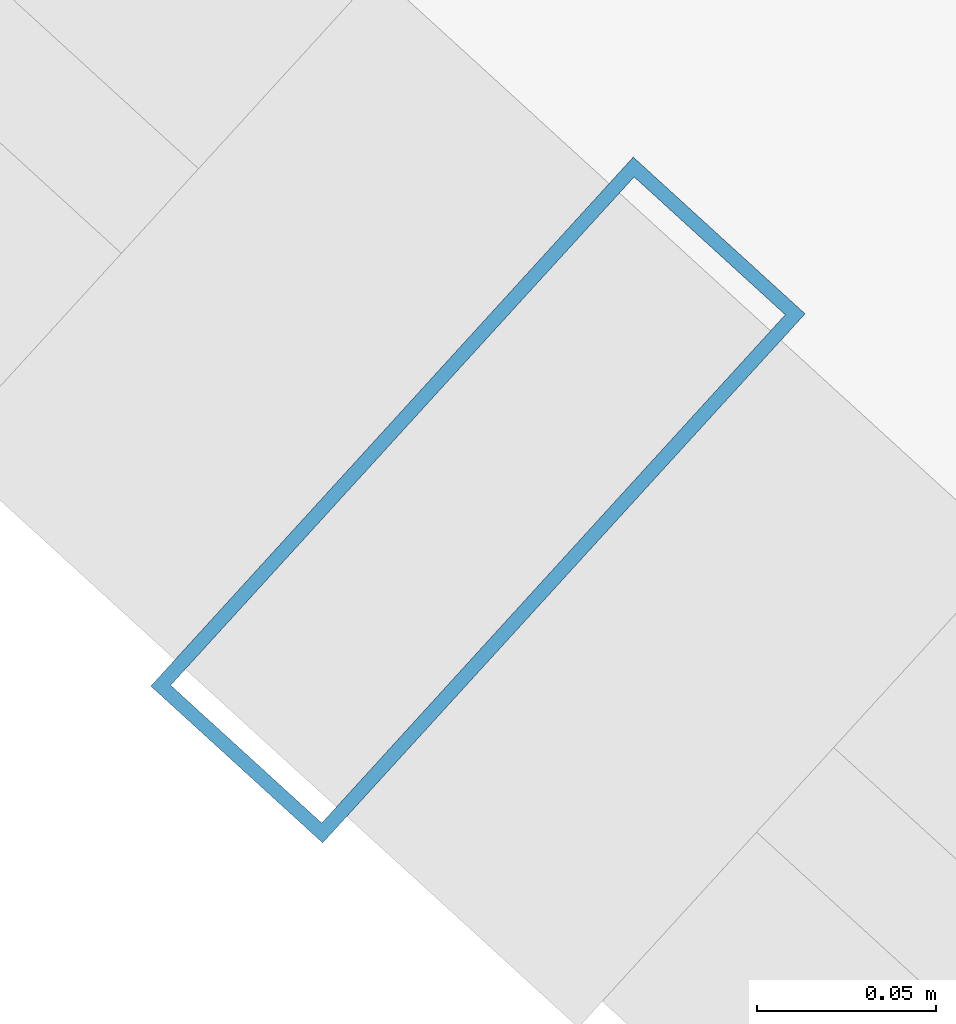
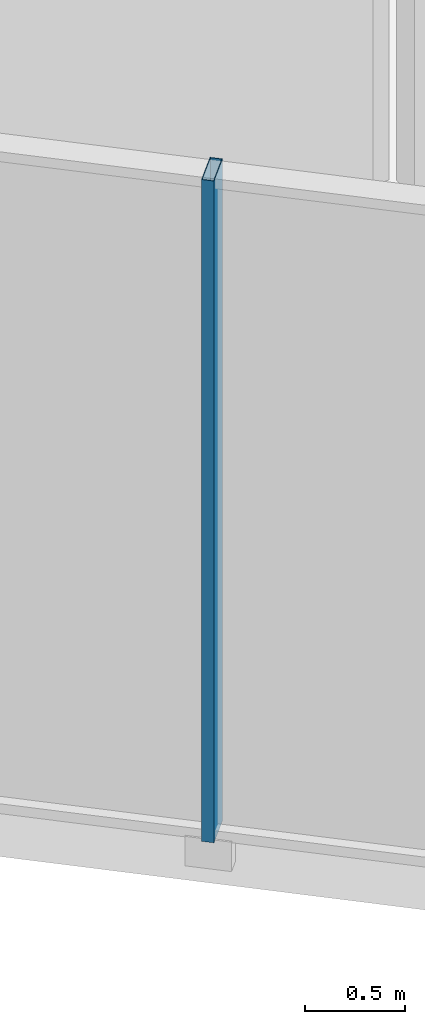
# One storey, part 2 of 28: 1 member, 1 element without a shape of its own.
"""IFC4 building model written with IfcOpenShell, lengths in metres."""

import ifcopenshell
import ifcopenshell.guid

model = None  # the IFC model being written
_history = None  # IfcOwnerHistory: only IFC2X3 demands one
_inside = {}  # id of a spatial element -> (the spatial element, [elements in it])
_under = {}  # id of a project, library or spatial element -> (it, [spatial elements below it])
_declared = {}  # id of a project -> (the project, [libraries it declares])
_typed = {}  # id of a type object -> (the type object, [elements of that type])
_made_of = {}  # id of a material, layer set ... -> (it, [elements and type objects made of it])


def new_model(schema):
    """Start an empty IFC model of exactly this schema.

    Asked for "IFC4X3", IfcOpenShell would pick the latest addendum, in which some entities
    have other attributes; the version numbers below select the first issue.
    IFC2X3 requires an IfcOwnerHistory on every rooted entity: one is made here for all.
    """
    global model, _history
    if schema == "IFC4X3":
        model = ifcopenshell.file(schema_version=(4, 3, 0, 0))
    else:
        model = ifcopenshell.file(schema=schema)
    _inside.clear()
    _under.clear()
    _declared.clear()
    _typed.clear()
    _made_of.clear()
    _history = None
    if model.schema == "IFC2X3":
        org = make("IfcOrganization", Name="unknown")
        user = make(
            "IfcPersonAndOrganization",
            ThePerson=make("IfcPerson", FamilyName="unknown"),
            TheOrganization=org,
        )
        app = make(
            "IfcApplication",
            ApplicationDeveloper=org,
            Version="unknown",
            ApplicationFullName="unknown",
            ApplicationIdentifier="unknown",
        )
        _history = make(
            "IfcOwnerHistory",
            OwningUser=user,
            OwningApplication=app,
            ChangeAction="ADDED",
            CreationDate=0,
        )
    return model


def make(cls, **values):
    """One entity of the class cls with the attributes given. An attribute that is None is left unset."""
    return model.create_entity(
        cls, **{name: value for name, value in values.items() if value is not None}
    )


def rooted(cls, **values):
    """An entity with a GlobalId (a new one), such as an element, a storey or a relation."""
    return make(cls, GlobalId=ifcopenshell.guid.new(), OwnerHistory=_history, **values)


def si_unit(unit_type, name, prefix=None):
    """IfcSIUnit, for example si_unit("LENGTHUNIT", "METRE", prefix="MILLI")."""
    return make("IfcSIUnit", UnitType=unit_type, Prefix=prefix, Name=name)


def assignment(units):
    """IfcUnitAssignment: the units of a project."""
    return None if units is None else make("IfcUnitAssignment", Units=units)


def point(xyz):
    """IfcCartesianPoint."""
    return None if xyz is None else make("IfcCartesianPoint", Coordinates=xyz)


def direction(xyz):
    """IfcDirection."""
    return None if xyz is None else make("IfcDirection", DirectionRatios=xyz)


def frame(location, z_axis=None, x_axis=None):
    """IfcAxis2Placement3D, a coordinate frame: its origin and axes. An axis left out is left unset."""
    return make(
        "IfcAxis2Placement3D",
        Location=point(location),
        Axis=direction(z_axis),
        RefDirection=direction(x_axis),
    )


def frame_2d(location, x_axis=None):
    """IfcAxis2Placement2D, a coordinate frame in the plane: its origin and x axis."""
    return make(
        "IfcAxis2Placement2D", Location=point(location), RefDirection=direction(x_axis)
    )


def origin():
    """The frame at (0, 0, 0) with its axes left unset."""
    return frame((0.0, 0.0, 0.0))


def origin_2d():
    """The frame at (0, 0) in the plane with its x axis left unset."""
    return frame_2d((0.0, 0.0))


def place(relative_to, where):
    """IfcLocalPlacement: puts the frame where relative to a parent placement (None: the world)."""
    return make(
        "IfcLocalPlacement", PlacementRelTo=relative_to, RelativePlacement=where
    )


def context(
    kind, dimensions, precision=None, world=None, true_north=None, identifier=None
):
    """IfcGeometricRepresentationContext, for example the 3D "Model" context."""
    return make(
        "IfcGeometricRepresentationContext",
        ContextIdentifier=identifier,
        ContextType=kind,
        CoordinateSpaceDimension=dimensions,
        Precision=precision,
        WorldCoordinateSystem=world,
        TrueNorth=true_north,
    )


def subcontext(parent, identifier, kind, view, scale=None):
    """IfcGeometricRepresentationSubContext, for example "Body" below "Model"."""
    return make(
        "IfcGeometricRepresentationSubContext",
        ContextIdentifier=identifier,
        ContextType=kind,
        ParentContext=parent,
        TargetScale=scale,
        TargetView=view,
    )


def project(units=None, contexts=None):
    """IfcProject with its units and contexts."""
    return rooted(
        "IfcProject",
        Name="project",
        RepresentationContexts=contexts,
        UnitsInContext=assignment(units),
    )


def spatial(cls, under=None, at=None, **own):
    """A site, building, storey or space (cls), placed at a placement, below another one or the project."""
    s = rooted(cls, ObjectPlacement=at, **own)
    if under is not None:
        _under.setdefault(under.id(), (under, []))[1].append(s)
    return s


def profile(cls, at=None, kind="AREA", **sizes):
    """A parametric profile (cls). Its sizes go by their IFC names, for example OverallWidth=200.0."""
    return make(cls, ProfileType=kind, Position=at, **sizes)


def hollow_rectangle(**sizes):
    """IfcRectangleHollowProfileDef."""
    return profile("IfcRectangleHollowProfileDef", **sizes)


def extrude(swept, where, along, depth):
    """IfcExtrudedAreaSolid: the profile swept, set in the frame where, extruded along a direction by depth."""
    return make(
        "IfcExtrudedAreaSolid",
        SweptArea=swept,
        Position=where,
        ExtrudedDirection=direction(along),
        Depth=depth,
    )


def shape(context_of_items, identifier, shape_type, items):
    """IfcShapeRepresentation: the items that make up one representation, for example the "Body"."""
    return make(
        "IfcShapeRepresentation",
        ContextOfItems=context_of_items,
        RepresentationIdentifier=identifier,
        RepresentationType=shape_type,
        Items=items,
    )


def source(mapping_origin, context_of_items, identifier, shape_type, items):
    """IfcRepresentationMap: a shape defined once, which mapped items show again and again."""
    return make(
        "IfcRepresentationMap",
        MappingOrigin=mapping_origin,
        MappedRepresentation=shape(context_of_items, identifier, shape_type, items),
    )


def transform(
    local_origin,
    x_axis=None,
    y_axis=None,
    z_axis=None,
    scale=None,
    scale2=None,
    scale3=None,
    uniform=True,
):
    """IfcCartesianTransformationOperator3D, or its non-uniform kind. x_axis, y_axis, z_axis: its Axis1, 2, 3."""
    if uniform:
        return make(
            "IfcCartesianTransformationOperator3D",
            Axis1=direction(x_axis),
            Axis2=direction(y_axis),
            LocalOrigin=point(local_origin),
            Scale=scale,
            Axis3=direction(z_axis),
        )
    return make(
        "IfcCartesianTransformationOperator3DnonUniform",
        Axis1=direction(x_axis),
        Axis2=direction(y_axis),
        LocalOrigin=point(local_origin),
        Scale=scale,
        Axis3=direction(z_axis),
        Scale2=scale2,
        Scale3=scale3,
    )


def mapped(mapping_source, mapping_target):
    """IfcMappedItem: shows the shape of a source again, moved by a transform."""
    return make(
        "IfcMappedItem", MappingSource=mapping_source, MappingTarget=mapping_target
    )


def material(Name=None, Category=None):
    """IfcMaterial."""
    return make("IfcMaterial", Name=Name, Category=Category)


def layer(
    of_material, thickness, ventilated=None, Name=None, Category=None, Priority=None
):
    """IfcMaterialLayer: one layer of a wall or slab, of a material (None: an air gap)."""
    return make(
        "IfcMaterialLayer",
        Material=of_material,
        LayerThickness=thickness,
        IsVentilated=ventilated,
        Name=Name,
        Category=Category,
        Priority=Priority,
    )


def layer_set(layers, Name=None):
    """IfcMaterialLayerSet."""
    return make("IfcMaterialLayerSet", MaterialLayers=layers, LayerSetName=Name)


def material_profile(
    of_material, cross_section, Name=None, Category=None, Priority=None
):
    """IfcMaterialProfile: a cross section and its material."""
    return make(
        "IfcMaterialProfile",
        Name=Name,
        Material=of_material,
        Profile=cross_section,
        Priority=Priority,
        Category=Category,
    )


def profile_set(profiles, Name=None, composite=None):
    """IfcMaterialProfileSet."""
    return make(
        "IfcMaterialProfileSet",
        Name=Name,
        MaterialProfiles=profiles,
        CompositeProfile=composite,
    )


def made_of(thing, what):
    """Note that an element or type object is made of a material, layer set ...; save() writes the relation."""
    if what is not None:
        _made_of.setdefault(what.id(), (what, []))[1].append(thing)
    return thing


def type_object(cls, material=None, **own):
    """A type object (cls), such as IfcWallType, which elements share."""
    return made_of(rooted(cls, **own), material)


def element(
    cls,
    number,
    at=None,
    inside=None,
    cuts=None,
    type_object=None,
    material=None,
    context=None,
    identifier="Body",
    shape_type=None,
    held_by="IfcProductDefinitionShape",
    body=None,
    shapes=None,
    **own,
):
    """One element of the class cls, such as IfcWall. Its Tag is "e" and its number.

    at: its placement. inside: the storey or other place that contains it. cuts: it is an
    opening in that element (IfcRelVoidsElement). A single representation is given by context,
    identifier, shape_type and body (its items); several are given by shapes. held_by: the class
    of the entity that holds the representations. save() writes the other relations.
    """
    e = rooted(cls, Tag="e%d" % number, ObjectPlacement=at, **own)
    if body is not None:
        shapes = [shape(context, identifier, shape_type, body)]
    if shapes is not None:
        e.Representation = make(held_by, Representations=shapes)
    if inside is not None:
        _inside.setdefault(inside.id(), (inside, []))[1].append(e)
    if cuts is not None:
        rooted(
            "IfcRelVoidsElement", RelatingBuildingElement=cuts, RelatedOpeningElement=e
        )
    if type_object is not None:
        _typed.setdefault(type_object.id(), (type_object, []))[1].append(e)
    return made_of(e, material)


def aggregate(whole, parts):
    """IfcRelAggregates: a whole, such as a stair, and the parts it consists of."""
    return rooted("IfcRelAggregates", RelatingObject=whole, RelatedObjects=parts)


def save(model, path):
    """Write the relations noted so far, then the file.

    IfcRelAggregates (storeys below a building ...), IfcRelContainedInSpatialStructure (elements
    in a storey), IfcRelDefinesByType, IfcRelAssociatesMaterial and IfcRelDeclares: one each for
    every whole, place, type object, material and project.
    """
    for whole, parts in _under.values():
        aggregate(whole, parts)
    for where, things in _inside.values():
        rooted(
            "IfcRelContainedInSpatialStructure",
            RelatedElements=things,
            RelatingStructure=where,
        )
    for kind, things in _typed.values():
        rooted("IfcRelDefinesByType", RelatedObjects=things, RelatingType=kind)
    for what, things in _made_of.values():
        rooted("IfcRelAssociatesMaterial", RelatedObjects=things, RelatingMaterial=what)
    for by, libraries in _declared.values():
        rooted("IfcRelDeclares", RelatingContext=by, RelatedDefinitions=libraries)
    model.write(path)


model = new_model("IFC4")

# Units and contexts
model_context = context("Model", 3, precision=1e-05, world=origin(), true_north=direction((0.0, 1.0)))
body_context = subcontext(model_context, "Body", "Model", "MODEL_VIEW")
ifc_project = project(units=[si_unit("LENGTHUNIT", "METRE"), si_unit("AREAUNIT", "SQUARE_METRE"), si_unit("VOLUMEUNIT", "CUBIC_METRE"), si_unit("PLANEANGLEUNIT", "RADIAN"), si_unit("MASSUNIT", "GRAM", prefix="KILO")], contexts=[model_context])

# Site, building, storey
site_placement = place(None, origin())
site = spatial("IfcSite", under=ifc_project, at=site_placement, CompositionType="ELEMENT")
building_placement = place(site_placement, origin())
building = spatial("IfcBuilding", under=site, at=building_placement, Name="Veraguas Prism Commons", CompositionType="ELEMENT")
storey_placement = place(building_placement, frame((0.0, 0.0, 85.14990234375)))
storey = spatial("IfcBuildingStorey", under=building, at=storey_placement, Name="L23", CompositionType="ELEMENT", Elevation=85.14990234375)

# Curtain wall, member
ifc_material = material(Name="Anodised aluminium EN AW-6063 T6", Category="aluminium")
ifc_layer = layer(ifc_material, 0.199951171875, Name="Sky Lobby and Pool Acoustic Curtain Wall", Category="aluminium")
ifc_layer_set = layer_set([ifc_layer], Name="Anodised aluminium EN AW-6063 T6")
curtain_wall_type = type_object("IfcCurtainWallType", Name="Sky Lobby and Pool Acoustic Curtain Wall", PredefinedType="NOTDEFINED", material=ifc_layer_set)
curtain_wall_placement = place(storey_placement, origin())
curtain_wall = element("IfcCurtainWall", 1, at=curtain_wall_placement, inside=storey, type_object=curtain_wall_type, Name="Tower Facade Curtain Wall L23-F4", PredefinedType="NOTDEFINED")
ifc_material_profile = material_profile(ifc_material, hollow_rectangle(XDim=0.06494140625, YDim=0.199951171875, WallThickness=0.00390625, at=origin_2d()), Name="AL65X200X4")
ifc_profile_set = profile_set([ifc_material_profile], Name="Anodised aluminium EN AW-6063 T6")
member_type = type_object("IfcMemberType", Name="Curtain Wall Mullion Heavy AL 65x200x4", PredefinedType="MULLION", material=ifc_profile_set)
shared_shape = source(origin(), body_context, "Body", "SweptSolid", [
    extrude(hollow_rectangle(XDim=0.06494140625, YDim=0.199951171875, WallThickness=0.00390625, at=origin_2d()), origin(), (0.0, 0.0, 1.0), 4.050048828125),
])
member_placement = place(storey_placement, frame((11.0751953125, 9.82568359375, 0.0), z_axis=(0.0, 0.0, 1.0), x_axis=(0.738924736523, -0.673787973887, 0.0)))
member = element("IfcMember", 2, at=member_placement, type_object=member_type, Name="CW-SKY Mullion 3", PredefinedType="MULLION", context=body_context, shape_type="MappedRepresentation", body=[
    mapped(shared_shape, transform((0.0, 0.0, 0.0), scale=1.0)),
])
aggregate(curtain_wall, [member])

save(model, "model.ifc")
